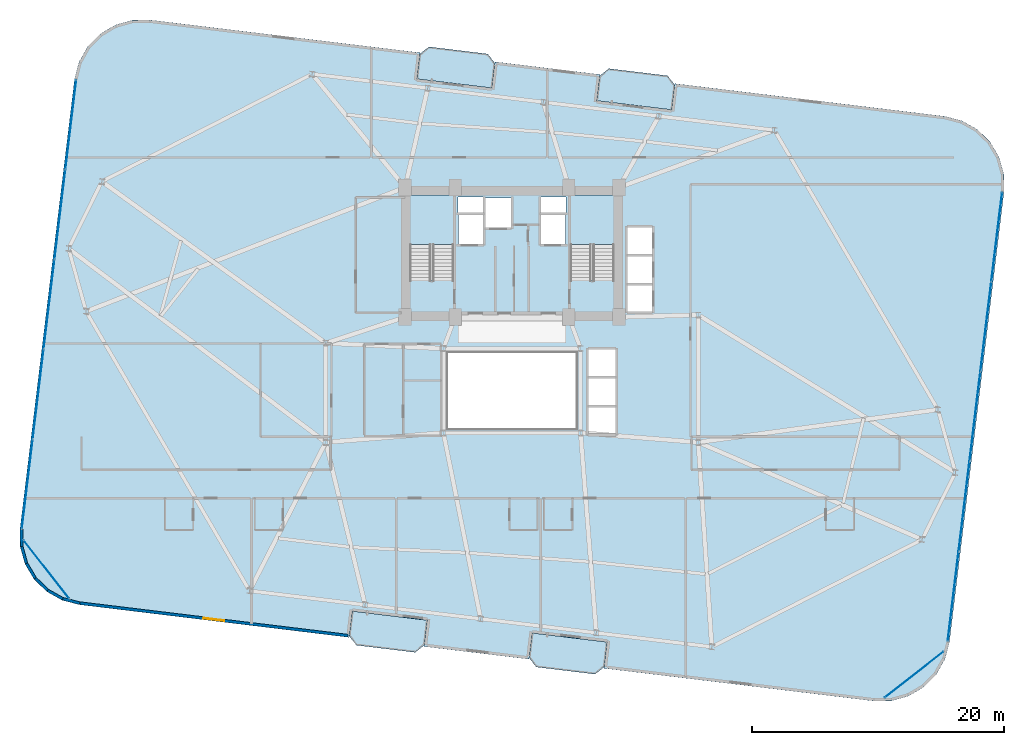
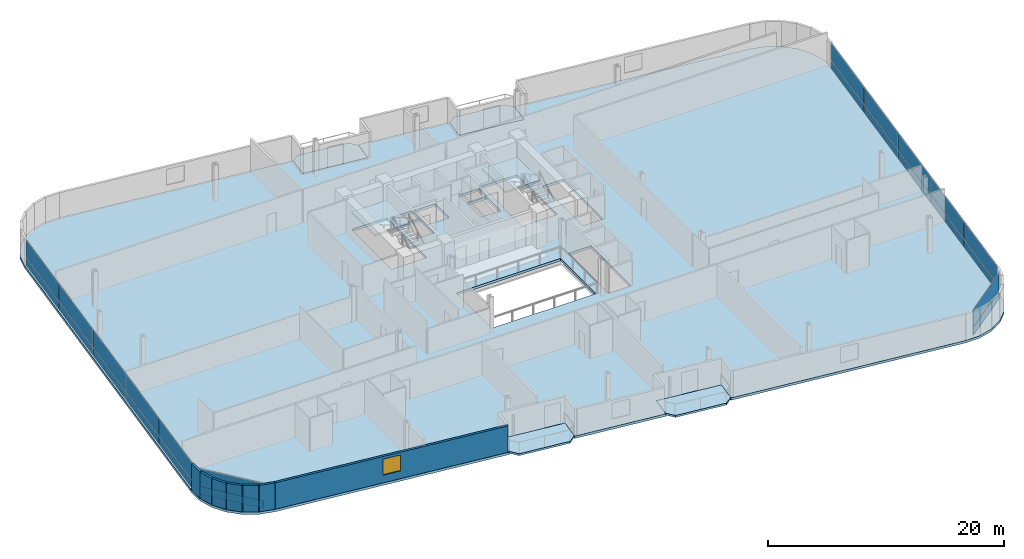
# One storey, part 19 of 25: 24 plates, 7 slabs, 7 walls, 1 window, 1 opening, 6 elements without a shape of their own.
"""IFC4 building model written with IfcOpenShell, lengths in metres."""

import ifcopenshell
import ifcopenshell.guid

model = None  # the IFC model being written
_history = None  # IfcOwnerHistory: only IFC2X3 demands one
_inside = {}  # id of a spatial element -> (the spatial element, [elements in it])
_under = {}  # id of a project, library or spatial element -> (it, [spatial elements below it])
_declared = {}  # id of a project -> (the project, [libraries it declares])
_typed = {}  # id of a type object -> (the type object, [elements of that type])
_made_of = {}  # id of a material, layer set ... -> (it, [elements and type objects made of it])


def new_model(schema):
    """Start an empty IFC model of exactly this schema.

    Asked for "IFC4X3", IfcOpenShell would pick the latest addendum, in which some entities
    have other attributes; the version numbers below select the first issue.
    IFC2X3 requires an IfcOwnerHistory on every rooted entity: one is made here for all.
    """
    global model, _history
    if schema == "IFC4X3":
        model = ifcopenshell.file(schema_version=(4, 3, 0, 0))
    else:
        model = ifcopenshell.file(schema=schema)
    _inside.clear()
    _under.clear()
    _declared.clear()
    _typed.clear()
    _made_of.clear()
    _history = None
    if model.schema == "IFC2X3":
        org = make("IfcOrganization", Name="unknown")
        user = make(
            "IfcPersonAndOrganization",
            ThePerson=make("IfcPerson", FamilyName="unknown"),
            TheOrganization=org,
        )
        app = make(
            "IfcApplication",
            ApplicationDeveloper=org,
            Version="unknown",
            ApplicationFullName="unknown",
            ApplicationIdentifier="unknown",
        )
        _history = make(
            "IfcOwnerHistory",
            OwningUser=user,
            OwningApplication=app,
            ChangeAction="ADDED",
            CreationDate=0,
        )
    return model


def make(cls, **values):
    """One entity of the class cls with the attributes given. An attribute that is None is left unset."""
    return model.create_entity(
        cls, **{name: value for name, value in values.items() if value is not None}
    )


def rooted(cls, **values):
    """An entity with a GlobalId (a new one), such as an element, a storey or a relation."""
    return make(cls, GlobalId=ifcopenshell.guid.new(), OwnerHistory=_history, **values)


def si_unit(unit_type, name, prefix=None):
    """IfcSIUnit, for example si_unit("LENGTHUNIT", "METRE", prefix="MILLI")."""
    return make("IfcSIUnit", UnitType=unit_type, Prefix=prefix, Name=name)


def assignment(units):
    """IfcUnitAssignment: the units of a project."""
    return None if units is None else make("IfcUnitAssignment", Units=units)


def point(xyz):
    """IfcCartesianPoint."""
    return None if xyz is None else make("IfcCartesianPoint", Coordinates=xyz)


def direction(xyz):
    """IfcDirection."""
    return None if xyz is None else make("IfcDirection", DirectionRatios=xyz)


def frame(location, z_axis=None, x_axis=None):
    """IfcAxis2Placement3D, a coordinate frame: its origin and axes. An axis left out is left unset."""
    return make(
        "IfcAxis2Placement3D",
        Location=point(location),
        Axis=direction(z_axis),
        RefDirection=direction(x_axis),
    )


def frame_2d(location, x_axis=None):
    """IfcAxis2Placement2D, a coordinate frame in the plane: its origin and x axis."""
    return make(
        "IfcAxis2Placement2D", Location=point(location), RefDirection=direction(x_axis)
    )


def origin():
    """The frame at (0, 0, 0) with its axes left unset."""
    return frame((0.0, 0.0, 0.0))


def origin_2d():
    """The frame at (0, 0) in the plane with its x axis left unset."""
    return frame_2d((0.0, 0.0))


def place(relative_to, where):
    """IfcLocalPlacement: puts the frame where relative to a parent placement (None: the world)."""
    return make(
        "IfcLocalPlacement", PlacementRelTo=relative_to, RelativePlacement=where
    )


def context(
    kind, dimensions, precision=None, world=None, true_north=None, identifier=None
):
    """IfcGeometricRepresentationContext, for example the 3D "Model" context."""
    return make(
        "IfcGeometricRepresentationContext",
        ContextIdentifier=identifier,
        ContextType=kind,
        CoordinateSpaceDimension=dimensions,
        Precision=precision,
        WorldCoordinateSystem=world,
        TrueNorth=true_north,
    )


def subcontext(parent, identifier, kind, view, scale=None):
    """IfcGeometricRepresentationSubContext, for example "Body" below "Model"."""
    return make(
        "IfcGeometricRepresentationSubContext",
        ContextIdentifier=identifier,
        ContextType=kind,
        ParentContext=parent,
        TargetScale=scale,
        TargetView=view,
    )


def project(units=None, contexts=None):
    """IfcProject with its units and contexts."""
    return rooted(
        "IfcProject",
        Name="project",
        RepresentationContexts=contexts,
        UnitsInContext=assignment(units),
    )


def spatial(cls, under=None, at=None, **own):
    """A site, building, storey or space (cls), placed at a placement, below another one or the project."""
    s = rooted(cls, ObjectPlacement=at, **own)
    if under is not None:
        _under.setdefault(under.id(), (under, []))[1].append(s)
    return s


def polyline(points):
    """IfcPolyline through the points."""
    return make("IfcPolyline", Points=[point(p) for p in points])


def profile(cls, at=None, kind="AREA", **sizes):
    """A parametric profile (cls). Its sizes go by their IFC names, for example OverallWidth=200.0."""
    return make(cls, ProfileType=kind, Position=at, **sizes)


def rectangle(**sizes):
    """IfcRectangleProfileDef."""
    return profile("IfcRectangleProfileDef", **sizes)


def outline(outer, holes=None, kind="AREA"):
    """IfcArbitraryClosedProfileDef: a profile drawn as a closed curve; with holes, ...WithVoids."""
    if holes is None:
        return make("IfcArbitraryClosedProfileDef", ProfileType=kind, OuterCurve=outer)
    return make(
        "IfcArbitraryProfileDefWithVoids",
        ProfileType=kind,
        OuterCurve=outer,
        InnerCurves=holes,
    )


def extrude(swept, where, along, depth):
    """IfcExtrudedAreaSolid: the profile swept, set in the frame where, extruded along a direction by depth."""
    return make(
        "IfcExtrudedAreaSolid",
        SweptArea=swept,
        Position=where,
        ExtrudedDirection=direction(along),
        Depth=depth,
    )


def shape(context_of_items, identifier, shape_type, items):
    """IfcShapeRepresentation: the items that make up one representation, for example the "Body"."""
    return make(
        "IfcShapeRepresentation",
        ContextOfItems=context_of_items,
        RepresentationIdentifier=identifier,
        RepresentationType=shape_type,
        Items=items,
    )


def source(mapping_origin, context_of_items, identifier, shape_type, items):
    """IfcRepresentationMap: a shape defined once, which mapped items show again and again."""
    return make(
        "IfcRepresentationMap",
        MappingOrigin=mapping_origin,
        MappedRepresentation=shape(context_of_items, identifier, shape_type, items),
    )


def transform(
    local_origin,
    x_axis=None,
    y_axis=None,
    z_axis=None,
    scale=None,
    scale2=None,
    scale3=None,
    uniform=True,
):
    """IfcCartesianTransformationOperator3D, or its non-uniform kind. x_axis, y_axis, z_axis: its Axis1, 2, 3."""
    if uniform:
        return make(
            "IfcCartesianTransformationOperator3D",
            Axis1=direction(x_axis),
            Axis2=direction(y_axis),
            LocalOrigin=point(local_origin),
            Scale=scale,
            Axis3=direction(z_axis),
        )
    return make(
        "IfcCartesianTransformationOperator3DnonUniform",
        Axis1=direction(x_axis),
        Axis2=direction(y_axis),
        LocalOrigin=point(local_origin),
        Scale=scale,
        Axis3=direction(z_axis),
        Scale2=scale2,
        Scale3=scale3,
    )


def mapped(mapping_source, mapping_target):
    """IfcMappedItem: shows the shape of a source again, moved by a transform."""
    return make(
        "IfcMappedItem", MappingSource=mapping_source, MappingTarget=mapping_target
    )


def material(Name=None, Category=None):
    """IfcMaterial."""
    return make("IfcMaterial", Name=Name, Category=Category)


def layer(
    of_material, thickness, ventilated=None, Name=None, Category=None, Priority=None
):
    """IfcMaterialLayer: one layer of a wall or slab, of a material (None: an air gap)."""
    return make(
        "IfcMaterialLayer",
        Material=of_material,
        LayerThickness=thickness,
        IsVentilated=ventilated,
        Name=Name,
        Category=Category,
        Priority=Priority,
    )


def layer_set(layers, Name=None):
    """IfcMaterialLayerSet."""
    return make("IfcMaterialLayerSet", MaterialLayers=layers, LayerSetName=Name)


def made_of(thing, what):
    """Note that an element or type object is made of a material, layer set ...; save() writes the relation."""
    if what is not None:
        _made_of.setdefault(what.id(), (what, []))[1].append(thing)
    return thing


def type_object(cls, material=None, **own):
    """A type object (cls), such as IfcWallType, which elements share."""
    return made_of(rooted(cls, **own), material)


def element(
    cls,
    number,
    at=None,
    inside=None,
    cuts=None,
    type_object=None,
    material=None,
    context=None,
    identifier="Body",
    shape_type=None,
    held_by="IfcProductDefinitionShape",
    body=None,
    shapes=None,
    **own,
):
    """One element of the class cls, such as IfcWall. Its Tag is "e" and its number.

    at: its placement. inside: the storey or other place that contains it. cuts: it is an
    opening in that element (IfcRelVoidsElement). A single representation is given by context,
    identifier, shape_type and body (its items); several are given by shapes. held_by: the class
    of the entity that holds the representations. save() writes the other relations.
    """
    e = rooted(cls, Tag="e%d" % number, ObjectPlacement=at, **own)
    if body is not None:
        shapes = [shape(context, identifier, shape_type, body)]
    if shapes is not None:
        e.Representation = make(held_by, Representations=shapes)
    if inside is not None:
        _inside.setdefault(inside.id(), (inside, []))[1].append(e)
    if cuts is not None:
        rooted(
            "IfcRelVoidsElement", RelatingBuildingElement=cuts, RelatedOpeningElement=e
        )
    if type_object is not None:
        _typed.setdefault(type_object.id(), (type_object, []))[1].append(e)
    return made_of(e, material)


def fill(opening, filler):
    """IfcRelFillsElement: the door or window that sits in an opening."""
    return rooted(
        "IfcRelFillsElement",
        RelatingOpeningElement=opening,
        RelatedBuildingElement=filler,
    )


def aggregate(whole, parts):
    """IfcRelAggregates: a whole, such as a stair, and the parts it consists of."""
    return rooted("IfcRelAggregates", RelatingObject=whole, RelatedObjects=parts)


def save(model, path):
    """Write the relations noted so far, then the file.

    IfcRelAggregates (storeys below a building ...), IfcRelContainedInSpatialStructure (elements
    in a storey), IfcRelDefinesByType, IfcRelAssociatesMaterial and IfcRelDeclares: one each for
    every whole, place, type object, material and project.
    """
    for whole, parts in _under.values():
        aggregate(whole, parts)
    for where, things in _inside.values():
        rooted(
            "IfcRelContainedInSpatialStructure",
            RelatedElements=things,
            RelatingStructure=where,
        )
    for kind, things in _typed.values():
        rooted("IfcRelDefinesByType", RelatedObjects=things, RelatingType=kind)
    for what, things in _made_of.values():
        rooted("IfcRelAssociatesMaterial", RelatedObjects=things, RelatingMaterial=what)
    for by, libraries in _declared.values():
        rooted("IfcRelDeclares", RelatingContext=by, RelatedDefinitions=libraries)
    model.write(path)


model = new_model("IFC4")

# Units and contexts
model_context = context("Model", 3, precision=1e-05, world=origin(), true_north=direction((0.0, 1.0)))
body_context = subcontext(model_context, "Body", "Model", "MODEL_VIEW")
ifc_project = project(units=[si_unit("LENGTHUNIT", "METRE"), si_unit("AREAUNIT", "SQUARE_METRE"), si_unit("VOLUMEUNIT", "CUBIC_METRE"), si_unit("PLANEANGLEUNIT", "RADIAN"), si_unit("MASSUNIT", "GRAM", prefix="KILO")], contexts=[model_context])

# Site, building, storey
site_placement = place(None, origin())
site = spatial("IfcSite", under=ifc_project, at=site_placement, CompositionType="ELEMENT")
building_placement = place(site_placement, origin())
building = spatial("IfcBuilding", under=site, at=building_placement, Name="Varnelok Gate Tower", CompositionType="ELEMENT")
storey_placement = place(building_placement, frame((0.0, 0.0, 136.5)))
storey = spatial("IfcBuildingStorey", under=building, at=storey_placement, Name="L34", CompositionType="ELEMENT", Elevation=136.5)

# Slabs
ifc_material_1 = material(Name="Concrete C45/55", Category="concrete")
ifc_layer_1 = layer(ifc_material_1, 0.199951171875)
ifc_layer_set_1 = layer_set([ifc_layer_1], Name="Concrete C45/55")
slab_type_1 = type_object("IfcSlabType", Name="SLB-BALC-200", PredefinedType="FLOOR", material=ifc_layer_set_1)
slab_1_placement = place(storey_placement, frame((0.0, 0.0, -0.199951171875)))
element("IfcSlab", 1, at=slab_1_placement, inside=storey, type_object=slab_type_1, Name="L34 South Hollow Balcony 1", PredefinedType="FLOOR", context=body_context, shape_type="SweptSolid", body=[
    extrude(outline(polyline([(26.27001953125, 3.39697265625), (26.837158203125, 2.67333984375), (31.5029296875, 2.107666015625), (32.2265625, 2.6748046875), (32.46728515625, 4.660400390625), (26.5107421875, 5.38232421875), (26.27001953125, 3.39697265625)])), origin(), (0.0, 0.0, 1.0), 0.199951171875),
])
slab_2_placement = place(storey_placement, frame((0.0, 0.0, -0.199951171875)))
element("IfcSlab", 2, at=slab_2_placement, inside=storey, type_object=slab_type_1, Name="L34 South Hollow Balcony 2", PredefinedType="FLOOR", context=body_context, shape_type="SweptSolid", body=[
    extrude(outline(polyline([(40.5654296875, 1.663818359375), (41.132568359375, 0.9404296875), (45.79833984375, 0.374755859375), (46.521728515625, 0.94189453125), (46.762451171875, 2.92724609375), (40.80615234375, 3.6494140625), (40.5654296875, 1.663818359375)])), origin(), (0.0, 0.0, 1.0), 0.199951171875),
])
slab_3_placement = place(storey_placement, frame((0.0, 0.0, -0.199951171875)))
element("IfcSlab", 3, at=slab_3_placement, inside=storey, type_object=slab_type_1, Name="L34 North Hollow Balcony 1", PredefinedType="FLOOR", context=body_context, shape_type="SweptSolid", body=[
    extrude(outline(polyline([(31.637451171875, 47.672607421875), (37.593994140625, 46.95068359375), (37.834716796875, 48.93603515625), (37.267578125, 49.65966796875), (32.601806640625, 50.22509765625), (31.878173828125, 49.658203125), (31.637451171875, 47.672607421875)])), origin(), (0.0, 0.0, 1.0), 0.199951171875),
])
slab_4_placement = place(storey_placement, frame((0.0, 0.0, -0.199951171875)))
element("IfcSlab", 4, at=slab_4_placement, inside=storey, type_object=slab_type_1, Name="L34 North Hollow Balcony 2", PredefinedType="FLOOR", context=body_context, shape_type="SweptSolid", body=[
    extrude(outline(polyline([(45.932861328125, 45.939697265625), (51.88916015625, 45.2177734375), (52.1298828125, 47.203125), (51.562744140625, 47.926513671875), (46.89697265625, 48.4921875), (46.173583984375, 47.92529296875), (45.932861328125, 45.939697265625)])), origin(), (0.0, 0.0, 1.0), 0.199951171875),
])

# Stair, slab
ifc_material_2 = material(Name="Concrete C50/60", Category="concrete")
stair_type = type_object("IfcStairType", Name="STR-CORE-1650", PredefinedType="HALF_TURN_STAIR", material=ifc_material_2)
stair_1_placement = place(storey_placement, origin())
stair_1 = element("IfcStair", 5, at=stair_1_placement, inside=storey, type_object=stair_type, Name="L34 Exit Stair ST-1", PredefinedType="HALF_TURN_STAIR")
ifc_layer_2 = layer(ifc_material_1, 0.199951171875)
ifc_layer_set_2 = layer_set([ifc_layer_2], Name="Concrete C45/55")
slab_type_2 = type_object("IfcSlabType", Name="SLB-LAND-200", PredefinedType="LANDING", material=ifc_layer_set_2)
slab_5_placement = place(storey_placement, frame((0.0, 0.0, 1.64990234375)))
slab_5 = element("IfcSlab", 6, at=slab_5_placement, type_object=slab_type_2, Name="ST-1 landing 1", PredefinedType="LANDING", context=body_context, shape_type="SweptSolid", body=[
    extrude(outline(polyline([(34.550048828125, 34.5), (34.550048828125, 38.449951171875), (31.10009765625, 38.449951171875), (31.10009765625, 34.5), (34.550048828125, 34.5)])), origin(), (0.0, 0.0, 1.0), 0.2001953125),
])
aggregate(stair_1, [slab_5])

stair_2_placement = place(storey_placement, origin())
stair_2 = element("IfcStair", 7, at=stair_2_placement, inside=storey, type_object=stair_type, Name="L34 Exit Stair ST-2", PredefinedType="HALF_TURN_STAIR")
slab_6_placement = place(storey_placement, frame((0.0, 0.0, 1.64990234375)))
slab_6 = element("IfcSlab", 8, at=slab_6_placement, type_object=slab_type_2, Name="ST-2 landing 1", PredefinedType="LANDING", context=body_context, shape_type="SweptSolid", body=[
    extrude(outline(polyline([(47.300048828125, 34.5), (47.300048828125, 38.449951171875), (43.85009765625, 38.449951171875), (43.85009765625, 34.5), (47.300048828125, 34.5)])), origin(), (0.0, 0.0, 1.0), 0.2001953125),
])
aggregate(stair_2, [slab_6])

# Slab
ifc_layer_3 = layer(ifc_material_2, 0.25)
ifc_layer_set_3 = layer_set([ifc_layer_3], Name="Concrete C50/60")
slab_type_3 = type_object("IfcSlabType", Name="SLB-TYP-250", PredefinedType="FLOOR", material=ifc_layer_set_3)
slab_7_placement = place(storey_placement, frame((0.0, 0.0, -0.25)))
element("IfcSlab", 9, at=slab_7_placement, inside=storey, type_object=slab_type_3, Name="L34 Structural Floor Slab", PredefinedType="FLOOR", context=body_context, shape_type="SweptSolid", body=[
    extrude(outline(polyline([(0.104248046875, 11.90771484375), (0.11865234375, 10.498046875), (0.49755859375, 9.14013671875), (1.214599609375, 7.9267578125), (2.2216796875, 6.940185546875), (3.44970703125, 6.247802734375), (4.81494140625, 5.89697265625), (16.529296875, 4.47705078125), (26.258056640625, 3.297607421875), (26.5107421875, 5.38232421875), (32.46728515625, 4.660400390625), (32.214599609375, 2.575439453125), (40.553466796875, 1.564697265625), (40.80615234375, 3.6494140625), (46.762451171875, 2.92724609375), (46.509765625, 0.842529296875), (56.238525390625, -0.3369140625), (67.952880859375, -1.7568359375), (69.3623046875, -1.742431640625), (70.72021484375, -1.363525390625), (71.933837890625, -0.646240234375), (72.92041015625, 0.360595703125), (73.612548828125, 1.588623046875), (73.96337890625, 2.9541015625), (78.2958984375, 38.6923828125), (78.281494140625, 40.101806640625), (77.902587890625, 41.459716796875), (77.185302734375, 42.67333984375), (76.17822265625, 43.659912109375), (74.9501953125, 44.35205078125), (73.5849609375, 44.702880859375), (61.87060546875, 46.123046875), (52.141845703125, 47.302490234375), (51.88916015625, 45.2177734375), (45.932861328125, 45.939697265625), (46.185546875, 48.0244140625), (37.8466796875, 49.035400390625), (37.593994140625, 46.95068359375), (31.637451171875, 47.672607421875), (31.89013671875, 49.75732421875), (22.161376953125, 50.936767578125), (10.447265625, 52.35693359375), (9.03759765625, 52.34228515625), (7.6796875, 51.963623046875), (6.46630859375, 51.246337890625), (5.479736328125, 50.2392578125), (4.787353515625, 49.01123046875), (4.4365234375, 47.64599609375), (0.104248046875, 11.90771484375)]), holes=[polyline([(34.550048828125, 31.679931640625), (34.550048828125, 38.449951171875), (31.10009765625, 38.449951171875), (31.10009765625, 31.679931640625), (34.550048828125, 31.679931640625)]), polyline([(47.300048828125, 31.679931640625), (47.300048828125, 38.449951171875), (43.85009765625, 38.449951171875), (43.85009765625, 31.679931640625), (47.300048828125, 31.679931640625)]), polyline([(34.949951171875, 34.550048828125), (36.89990234375, 34.550048828125), (36.89990234375, 36.89990234375), (34.949951171875, 36.89990234375), (34.949951171875, 34.550048828125)]), polyline([(41.5, 34.550048828125), (43.449951171875, 34.550048828125), (43.449951171875, 36.89990234375), (41.5, 36.89990234375), (41.5, 34.550048828125)]), polyline([(37.050048828125, 35.85009765625), (39.14990234375, 35.85009765625), (39.14990234375, 38.199951171875), (37.050048828125, 38.199951171875), (37.050048828125, 35.85009765625)]), polyline([(48.35009765625, 29.14990234375), (50.35009765625, 29.14990234375), (50.35009765625, 35.89990234375), (48.35009765625, 35.89990234375), (48.35009765625, 29.14990234375)]), polyline([(45.25, 19.449951171875), (47.449951171875, 19.449951171875), (47.449951171875, 26.199951171875), (45.25, 26.199951171875), (45.25, 19.449951171875)]), polyline([(34.919921875, 37.080078125), (36.89990234375, 37.080078125), (36.89990234375, 38.280029296875), (34.919921875, 38.280029296875), (34.919921875, 37.080078125)]), polyline([(41.5, 37.080078125), (43.47998046875, 37.080078125), (43.47998046875, 38.280029296875), (41.5, 38.280029296875), (41.5, 37.080078125)]), polyline([(34.10009765625, 19.89990234375), (44.300048828125, 19.89990234375), (44.300048828125, 25.89990234375), (34.10009765625, 25.89990234375), (34.10009765625, 19.89990234375)])]), origin(), (0.0, 0.0, 1.0), 0.25),
])

# Curtain wall, plate
ifc_material_3 = material(Name="Anodized Aluminum Alloy 6063-T6", Category="aluminium")
ifc_layer_4 = layer(ifc_material_3, 0.179931640625)
ifc_layer_set_4 = layer_set([ifc_layer_4], Name="Anodized Aluminum Alloy 6063-T6")
curtain_wall_type_1 = type_object("IfcCurtainWallType", Name="CW5-WINDCORNER-GLAZ", PredefinedType="USERDEFINED", material=ifc_layer_set_4)
curtain_wall_1_placement = place(storey_placement, origin())
curtain_wall_1 = element("IfcCurtainWall", 10, at=curtain_wall_1_placement, inside=storey, type_object=curtain_wall_type_1, Name="L34 Wind-Shaped Corner Curtain Wall SW", ObjectType="STRUCTURAL GLAZING", PredefinedType="USERDEFINED")
ifc_material_4 = material(Name="Low-E Laminated Double Glazing IGU", Category="glass")
ifc_layer_5 = layer(ifc_material_4, 0.0419921875)
ifc_layer_set_5 = layer_set([ifc_layer_5], Name="Low-E Laminated Double Glazing IGU")
plate_type_1 = type_object("IfcPlateType", Name="CW-PNL-SPN42", PredefinedType="CURTAIN_PANEL", material=ifc_layer_set_5)
shared_shape_1 = source(origin(), body_context, "Body", "SweptSolid", [
    extrude(rectangle(XDim=5.8662109375, YDim=0.0419921875, at=origin_2d()), origin(), (0.0, 0.0, 1.0), 0.802490234375),
])
plate_1_placement = place(storey_placement, frame((2.20361328125, 8.70166015625, 0.06494140625), z_axis=(0.0, 0.0, 1.0), x_axis=(0.616882780063, -0.787055039792, 0.0)))
plate_1 = element("IfcPlate", 11, at=plate_1_placement, type_object=plate_type_1, Name="CW5 panel 1.1", PredefinedType="CURTAIN_PANEL", context=body_context, shape_type="MappedRepresentation", body=[
    mapped(shared_shape_1, transform((0.0, 0.0, 0.0), scale=1.0)),
])

curtain_wall_2_placement = place(storey_placement, origin())
curtain_wall_2 = element("IfcCurtainWall", 12, at=curtain_wall_2_placement, inside=storey, type_object=curtain_wall_type_1, Name="L34 Wind-Shaped Corner Curtain Wall SE", ObjectType="STRUCTURAL GLAZING", PredefinedType="USERDEFINED")
plate_2_placement = place(storey_placement, frame((71.15869140625, 0.342529296875, 0.06494140625), z_axis=(0.0, 0.0, 1.0), x_axis=(0.787069482921, 0.616864352232, 0.0)))
plate_2 = element("IfcPlate", 13, at=plate_2_placement, type_object=plate_type_1, Name="CW5 panel 1.1", PredefinedType="CURTAIN_PANEL", context=body_context, shape_type="MappedRepresentation", body=[
    mapped(shared_shape_1, transform((0.0, 0.0, 0.0), scale=1.0)),
])

# Plate
shared_shape_2 = source(origin(), body_context, "Body", "SweptSolid", [
    extrude(rectangle(XDim=5.8662109375, YDim=0.0419921875, at=origin_2d()), origin(), (0.0, 0.0, 1.0), 1.732421875),
])
plate_3_placement = place(storey_placement, frame((2.20361328125, 8.70166015625, 0.9326171875), z_axis=(0.0, 0.0, 1.0), x_axis=(0.616882780063, -0.787055039792, 0.0)))
plate_3 = element("IfcPlate", 14, at=plate_3_placement, type_object=plate_type_1, Name="CW5 panel 1.2", PredefinedType="CURTAIN_PANEL", context=body_context, shape_type="MappedRepresentation", body=[
    mapped(shared_shape_2, transform((0.0, 0.0, 0.0), scale=1.0)),
])

aggregate(curtain_wall_1, [plate_1, plate_3])

plate_4_placement = place(storey_placement, frame((71.15869140625, 0.342529296875, 0.9326171875), z_axis=(0.0, 0.0, 1.0), x_axis=(0.787069482921, 0.616864352232, 0.0)))
plate_4 = element("IfcPlate", 15, at=plate_4_placement, type_object=plate_type_1, Name="CW5 panel 1.2", PredefinedType="CURTAIN_PANEL", context=body_context, shape_type="MappedRepresentation", body=[
    mapped(shared_shape_2, transform((0.0, 0.0, 0.0), scale=1.0)),
])

aggregate(curtain_wall_2, [plate_2, plate_4])

# Curtain wall, plates
ifc_layer_6 = layer(ifc_material_3, 0.179931640625)
ifc_layer_set_6 = layer_set([ifc_layer_6], Name="Anodized Aluminum Alloy 6063-T6")
curtain_wall_type_2 = type_object("IfcCurtainWallType", Name="CW3-HOTEL-VISION", PredefinedType="USERDEFINED", material=ifc_layer_set_6)
curtain_wall_3_placement = place(storey_placement, origin())
curtain_wall_3 = element("IfcCurtainWall", 16, at=curtain_wall_3_placement, inside=storey, type_object=curtain_wall_type_2, Name="L34 West End Vision Curtain Wall", ObjectType="UNITISED CURTAIN WALL", PredefinedType="USERDEFINED")
ifc_layer_7 = layer(ifc_material_4, 0.031982421875)
ifc_layer_set_7 = layer_set([ifc_layer_7], Name="Low-E Laminated Double Glazing IGU")
plate_type_2 = type_object("IfcPlateType", Name="CW-PNL-IGU32", PredefinedType="CURTAIN_PANEL", material=ifc_layer_set_7)
shared_shape_3 = source(origin(), body_context, "Body", "SweptSolid", [
    extrude(rectangle(XDim=7.1025390625, YDim=0.031982421875, at=origin_2d()), origin(), (0.0, 0.0, 1.0), 0.802490234375),
])
plate_5_placement = place(storey_placement, frame((0.67822265625, 15.480712890625, 0.06494140625), z_axis=(0.0, 0.0, 1.0), x_axis=(0.120347046212, 0.99273188146, 0.0)))
plate_5 = element("IfcPlate", 17, at=plate_5_placement, type_object=plate_type_2, Name="CW3 panel 1.1", PredefinedType="CURTAIN_PANEL", context=body_context, shape_type="MappedRepresentation", body=[
    mapped(shared_shape_3, transform((0.0, 0.0, 0.0), scale=1.0)),
])
plate_6_placement = place(storey_placement, frame((4.140380859375, 44.039306640625, 0.06494140625), z_axis=(0.0, 0.0, 1.0), x_axis=(0.120347046212, 0.99273188146, 0.0)))
plate_6 = element("IfcPlate", 18, at=plate_6_placement, type_object=plate_type_2, Name="CW3 panel 5.1", PredefinedType="CURTAIN_PANEL", context=body_context, shape_type="MappedRepresentation", body=[
    mapped(shared_shape_3, transform((0.0, 0.0, 0.0), scale=1.0)),
])

curtain_wall_4_placement = place(storey_placement, origin())
curtain_wall_4 = element("IfcCurtainWall", 19, at=curtain_wall_4_placement, inside=storey, type_object=curtain_wall_type_2, Name="L34 East End Vision Curtain Wall", ObjectType="UNITISED CURTAIN WALL", PredefinedType="USERDEFINED")
plate_7_placement = place(storey_placement, frame((77.7216796875, 35.119140625, 0.06494140625), z_axis=(0.0, 0.0, 1.0), x_axis=(-0.120347046212, -0.99273188146, 0.0)))
plate_7 = element("IfcPlate", 20, at=plate_7_placement, type_object=plate_type_2, Name="CW3 panel 1.1", PredefinedType="CURTAIN_PANEL", context=body_context, shape_type="MappedRepresentation", body=[
    mapped(shared_shape_3, transform((0.0, 0.0, 0.0), scale=1.0)),
])
plate_8_placement = place(storey_placement, frame((74.259521484375, 6.560791015625, 0.06494140625), z_axis=(0.0, 0.0, 1.0), x_axis=(-0.120347046212, -0.99273188146, 0.0)))
plate_8 = element("IfcPlate", 21, at=plate_8_placement, type_object=plate_type_2, Name="CW3 panel 5.1", PredefinedType="CURTAIN_PANEL", context=body_context, shape_type="MappedRepresentation", body=[
    mapped(shared_shape_3, transform((0.0, 0.0, 0.0), scale=1.0)),
])

# Plate
shared_shape_4 = source(origin(), body_context, "Body", "SweptSolid", [
    extrude(rectangle(XDim=7.1025390625, YDim=0.031982421875, at=origin_2d()), origin(), (0.0, 0.0, 1.0), 1.732421875),
])
plate_9_placement = place(storey_placement, frame((0.67822265625, 15.480712890625, 0.9326171875), z_axis=(0.0, 0.0, 1.0), x_axis=(0.120347046212, 0.99273188146, 0.0)))
plate_9 = element("IfcPlate", 22, at=plate_9_placement, type_object=plate_type_2, Name="CW3 panel 1.2", PredefinedType="CURTAIN_PANEL", context=body_context, shape_type="MappedRepresentation", body=[
    mapped(shared_shape_4, transform((0.0, 0.0, 0.0), scale=1.0)),
])

plate_10_placement = place(storey_placement, frame((4.140380859375, 44.039306640625, 0.9326171875), z_axis=(0.0, 0.0, 1.0), x_axis=(0.120347046212, 0.99273188146, 0.0)))
plate_10 = element("IfcPlate", 23, at=plate_10_placement, type_object=plate_type_2, Name="CW3 panel 5.2", PredefinedType="CURTAIN_PANEL", context=body_context, shape_type="MappedRepresentation", body=[
    mapped(shared_shape_4, transform((0.0, 0.0, 0.0), scale=1.0)),
])

plate_11_placement = place(storey_placement, frame((77.7216796875, 35.119140625, 0.9326171875), z_axis=(0.0, 0.0, 1.0), x_axis=(-0.120347046212, -0.99273188146, 0.0)))
plate_11 = element("IfcPlate", 24, at=plate_11_placement, type_object=plate_type_2, Name="CW3 panel 1.2", PredefinedType="CURTAIN_PANEL", context=body_context, shape_type="MappedRepresentation", body=[
    mapped(shared_shape_4, transform((0.0, 0.0, 0.0), scale=1.0)),
])

plate_12_placement = place(storey_placement, frame((74.259521484375, 6.560791015625, 0.9326171875), z_axis=(0.0, 0.0, 1.0), x_axis=(-0.120347046212, -0.99273188146, 0.0)))
plate_12 = element("IfcPlate", 25, at=plate_12_placement, type_object=plate_type_2, Name="CW3 panel 5.2", PredefinedType="CURTAIN_PANEL", context=body_context, shape_type="MappedRepresentation", body=[
    mapped(shared_shape_4, transform((0.0, 0.0, 0.0), scale=1.0)),
])

shared_shape_5 = source(origin(), body_context, "Body", "SweptSolid", [
    extrude(rectangle(XDim=7.135009765625, YDim=0.031982421875, at=origin_2d()), origin(), (0.0, 0.0, 1.0), 0.802490234375),
])
plate_13_placement = place(storey_placement, frame((1.54296875, 22.6123046875, 0.06494140625), z_axis=(0.0, 0.0, 1.0), x_axis=(0.120347046212, 0.99273188146, 0.0)))
plate_13 = element("IfcPlate", 26, at=plate_13_placement, type_object=plate_type_2, Name="CW3 panel 2.1", PredefinedType="CURTAIN_PANEL", context=body_context, shape_type="MappedRepresentation", body=[
    mapped(shared_shape_5, transform((0.0, 0.0, 0.0), scale=1.0)),
])

plate_14_placement = place(storey_placement, frame((2.409423828125, 29.760009765625, 0.06494140625), z_axis=(0.0, 0.0, 1.0), x_axis=(0.120347046212, 0.99273188146, 0.0)))
plate_14 = element("IfcPlate", 27, at=plate_14_placement, type_object=plate_type_2, Name="CW3 panel 3.1", PredefinedType="CURTAIN_PANEL", context=body_context, shape_type="MappedRepresentation", body=[
    mapped(shared_shape_5, transform((0.0, 0.0, 0.0), scale=1.0)),
])

plate_15_placement = place(storey_placement, frame((3.27587890625, 36.90771484375, 0.06494140625), z_axis=(0.0, 0.0, 1.0), x_axis=(0.120347046212, 0.99273188146, 0.0)))
plate_15 = element("IfcPlate", 28, at=plate_15_placement, type_object=plate_type_2, Name="CW3 panel 4.1", PredefinedType="CURTAIN_PANEL", context=body_context, shape_type="MappedRepresentation", body=[
    mapped(shared_shape_5, transform((0.0, 0.0, 0.0), scale=1.0)),
])

plate_16_placement = place(storey_placement, frame((76.857177734375, 27.98779296875, 0.06494140625), z_axis=(0.0, 0.0, 1.0), x_axis=(-0.120347046212, -0.99273188146, 0.0)))
plate_16 = element("IfcPlate", 29, at=plate_16_placement, type_object=plate_type_2, Name="CW3 panel 2.1", PredefinedType="CURTAIN_PANEL", context=body_context, shape_type="MappedRepresentation", body=[
    mapped(shared_shape_5, transform((0.0, 0.0, 0.0), scale=1.0)),
])

plate_17_placement = place(storey_placement, frame((75.99072265625, 20.840087890625, 0.06494140625), z_axis=(0.0, 0.0, 1.0), x_axis=(-0.120347046212, -0.99273188146, 0.0)))
plate_17 = element("IfcPlate", 30, at=plate_17_placement, type_object=plate_type_2, Name="CW3 panel 3.1", PredefinedType="CURTAIN_PANEL", context=body_context, shape_type="MappedRepresentation", body=[
    mapped(shared_shape_5, transform((0.0, 0.0, 0.0), scale=1.0)),
])

plate_18_placement = place(storey_placement, frame((75.124267578125, 13.6923828125, 0.06494140625), z_axis=(0.0, 0.0, 1.0), x_axis=(-0.120347046212, -0.99273188146, 0.0)))
plate_18 = element("IfcPlate", 31, at=plate_18_placement, type_object=plate_type_2, Name="CW3 panel 4.1", PredefinedType="CURTAIN_PANEL", context=body_context, shape_type="MappedRepresentation", body=[
    mapped(shared_shape_5, transform((0.0, 0.0, 0.0), scale=1.0)),
])

shared_shape_6 = source(origin(), body_context, "Body", "SweptSolid", [
    extrude(rectangle(XDim=7.135009765625, YDim=0.031982421875, at=origin_2d()), origin(), (0.0, 0.0, 1.0), 1.732421875),
])
plate_19_placement = place(storey_placement, frame((1.54296875, 22.6123046875, 0.9326171875), z_axis=(0.0, 0.0, 1.0), x_axis=(0.120347046212, 0.99273188146, 0.0)))
plate_19 = element("IfcPlate", 32, at=plate_19_placement, type_object=plate_type_2, Name="CW3 panel 2.2", PredefinedType="CURTAIN_PANEL", context=body_context, shape_type="MappedRepresentation", body=[
    mapped(shared_shape_6, transform((0.0, 0.0, 0.0), scale=1.0)),
])

plate_20_placement = place(storey_placement, frame((2.409423828125, 29.760009765625, 0.9326171875), z_axis=(0.0, 0.0, 1.0), x_axis=(0.120347046212, 0.99273188146, 0.0)))
plate_20 = element("IfcPlate", 33, at=plate_20_placement, type_object=plate_type_2, Name="CW3 panel 3.2", PredefinedType="CURTAIN_PANEL", context=body_context, shape_type="MappedRepresentation", body=[
    mapped(shared_shape_6, transform((0.0, 0.0, 0.0), scale=1.0)),
])

plate_21_placement = place(storey_placement, frame((3.27587890625, 36.90771484375, 0.9326171875), z_axis=(0.0, 0.0, 1.0), x_axis=(0.120347046212, 0.99273188146, 0.0)))
plate_21 = element("IfcPlate", 34, at=plate_21_placement, type_object=plate_type_2, Name="CW3 panel 4.2", PredefinedType="CURTAIN_PANEL", context=body_context, shape_type="MappedRepresentation", body=[
    mapped(shared_shape_6, transform((0.0, 0.0, 0.0), scale=1.0)),
])

aggregate(curtain_wall_3, [plate_5, plate_9, plate_13, plate_19, plate_14, plate_20, plate_15, plate_21, plate_6, plate_10])

plate_22_placement = place(storey_placement, frame((76.857177734375, 27.98779296875, 0.9326171875), z_axis=(0.0, 0.0, 1.0), x_axis=(-0.120347046212, -0.99273188146, 0.0)))
plate_22 = element("IfcPlate", 35, at=plate_22_placement, type_object=plate_type_2, Name="CW3 panel 2.2", PredefinedType="CURTAIN_PANEL", context=body_context, shape_type="MappedRepresentation", body=[
    mapped(shared_shape_6, transform((0.0, 0.0, 0.0), scale=1.0)),
])

plate_23_placement = place(storey_placement, frame((75.99072265625, 20.840087890625, 0.9326171875), z_axis=(0.0, 0.0, 1.0), x_axis=(-0.120347046212, -0.99273188146, 0.0)))
plate_23 = element("IfcPlate", 36, at=plate_23_placement, type_object=plate_type_2, Name="CW3 panel 3.2", PredefinedType="CURTAIN_PANEL", context=body_context, shape_type="MappedRepresentation", body=[
    mapped(shared_shape_6, transform((0.0, 0.0, 0.0), scale=1.0)),
])

plate_24_placement = place(storey_placement, frame((75.124267578125, 13.6923828125, 0.9326171875), z_axis=(0.0, 0.0, 1.0), x_axis=(-0.120347046212, -0.99273188146, 0.0)))
plate_24 = element("IfcPlate", 37, at=plate_24_placement, type_object=plate_type_2, Name="CW3 panel 4.2", PredefinedType="CURTAIN_PANEL", context=body_context, shape_type="MappedRepresentation", body=[
    mapped(shared_shape_6, transform((0.0, 0.0, 0.0), scale=1.0)),
])

aggregate(curtain_wall_4, [plate_7, plate_11, plate_16, plate_22, plate_17, plate_23, plate_18, plate_24, plate_8, plate_12])

# Walls
ifc_layer_8 = layer(ifc_material_1, 0.219970703125)
ifc_layer_set_8 = layer_set([ifc_layer_8], Name="Concrete C45/55")
wall_type = type_object("IfcWallType", Name="EW-BALC-220", PredefinedType="SOLIDWALL", material=ifc_layer_set_8)
wall_1_placement = place(storey_placement, frame((0.224365234375, 11.89306640625, 0.0), z_axis=(0.0, 0.0, 1.0), x_axis=(0.010098705419, -0.999949006774, 0.0)))
element("IfcWall", 38, at=wall_1_placement, inside=storey, type_object=wall_type, Name="L34 Perimeter Facade Closure Wall 1", PredefinedType="SOLIDWALL", context=body_context, shape_type="SweptSolid", body=[
    extrude(rectangle(XDim=1.3779296875, YDim=0.219970703125, at=frame_2d((0.68896484375, 0.0))), origin(), (0.0, 0.0, 1.0), 2.72998046875),
])
wall_2_placement = place(storey_placement, frame((0.2451171875, 10.490966796875, 0.0), z_axis=(0.0, 0.0, 1.0), x_axis=(0.268853470153, -0.963181089716, 0.0)))
element("IfcWall", 39, at=wall_2_placement, inside=storey, type_object=wall_type, Name="L34 Perimeter Facade Closure Wall 2", PredefinedType="SOLIDWALL", context=body_context, shape_type="SweptSolid", body=[
    extrude(rectangle(XDim=1.35302734375, YDim=0.219970703125, at=frame_2d((0.676513671875, 0.0))), origin(), (0.0, 0.0, 1.0), 2.72998046875),
])
wall_3_placement = place(storey_placement, frame((0.62158203125, 9.166015625, 0.0), z_axis=(0.0, 0.0, 1.0), x_axis=(0.508911700393, -0.860818727261, 0.0)))
element("IfcWall", 40, at=wall_3_placement, inside=storey, type_object=wall_type, Name="L34 Perimeter Facade Closure Wall 3", PredefinedType="SOLIDWALL", context=body_context, shape_type="SweptSolid", body=[
    extrude(rectangle(XDim=1.352783203125, YDim=0.219970703125, at=frame_2d((0.67626953125, 0.0))), origin(), (0.0, 0.0, 1.0), 2.72998046875),
])
wall_4_placement = place(storey_placement, frame((1.327880859375, 7.98388671875, 0.0), z_axis=(0.0, 0.0, 1.0), x_axis=(0.714376989847, -0.69976104234, 0.0)))
element("IfcWall", 41, at=wall_4_placement, inside=storey, type_object=wall_type, Name="L34 Perimeter Facade Closure Wall 4", PredefinedType="SOLIDWALL", context=body_context, shape_type="SweptSolid", body=[
    extrude(rectangle(XDim=1.35302734375, YDim=0.219970703125, at=frame_2d((0.676513671875, 0.0))), origin(), (0.0, 0.0, 1.0), 2.72998046875),
])
wall_5_placement = place(storey_placement, frame((2.316162109375, 7.024658203125, 0.0), z_axis=(0.0, 0.0, 1.0), x_axis=(0.87113677592, -0.491040443996, 0.0)))
element("IfcWall", 42, at=wall_5_placement, inside=storey, type_object=wall_type, Name="L34 Perimeter Facade Closure Wall 5", PredefinedType="SOLIDWALL", context=body_context, shape_type="SweptSolid", body=[
    extrude(rectangle(XDim=1.353271484375, YDim=0.219970703125, at=frame_2d((0.6767578125, 0.0))), origin(), (0.0, 0.0, 1.0), 2.72998046875),
])
wall_6_placement = place(storey_placement, frame((3.519287109375, 6.35400390625, 0.0), z_axis=(0.0, 0.0, 1.0), x_axis=(0.968506529347, -0.248988157573, 0.0)))
element("IfcWall", 43, at=wall_6_placement, inside=storey, type_object=wall_type, Name="L34 Perimeter Facade Closure Wall 6", PredefinedType="SOLIDWALL", context=body_context, shape_type="SweptSolid", body=[
    extrude(rectangle(XDim=1.361083984375, YDim=0.219970703125, at=frame_2d((0.6806640625, 0.0))), origin(), (0.0, 0.0, 1.0), 2.72998046875),
])

# Wall, opening, window
wall_7_placement = place(storey_placement, frame((4.862060546875, 6.01220703125, 0.0), z_axis=(0.0, 0.0, 1.0), x_axis=(0.99273213367, -0.120344965739, 0.0)))
wall_7 = element("IfcWall", 44, at=wall_7_placement, inside=storey, type_object=wall_type, Name="L34 Perimeter Facade Closure Wall 7", PredefinedType="SOLIDWALL", context=body_context, shape_type="SweptSolid", body=[
    extrude(rectangle(XDim=21.447021484375, YDim=0.219970703125, at=frame_2d((10.7236328125, 0.0))), origin(), (0.0, 0.0, 1.0), 2.72998046875),
])
opening_placement = place(wall_7_placement, frame((9.898681640625, 0.0, 0.800048828125)))
opening = element("IfcOpeningElement", 45, at=opening_placement, cuts=wall_7, Name="Opening WN3", PredefinedType="OPENING", context=body_context, shape_type="SweptSolid", body=[
    extrude(rectangle(XDim=1.64990234375, YDim=1.64990234375, at=frame_2d((0.824951171875, 0.824951171875))), frame((0.0, 0.119873046875, 0.0), z_axis=(0.0, -1.0, 0.0), x_axis=(1.0, 0.0, 0.0)), (0.0, 0.0, 1.0), 0.239990234375),
])
window_type = type_object("IfcWindowType", Name="WN-HTL-1650", PartitioningType="SINGLE_PANEL", PredefinedType="WINDOW", material=ifc_material_4)
window_placement = place(opening_placement, origin())
window = element("IfcWindow", 46, at=window_placement, inside=storey, type_object=window_type, Name="L34 Perimeter Vision Window 7", OverallHeight=1.64990234375, OverallWidth=1.64990234375, PartitioningType="SINGLE_PANEL", PredefinedType="WINDOW", context=body_context, shape_type="SweptSolid", body=[
    extrude(rectangle(XDim=1.64990234375, YDim=1.64990234375, at=frame_2d((0.824951171875, 0.824951171875))), frame((0.0, 0.030029296875, 0.0), z_axis=(0.0, -1.0, 0.0), x_axis=(1.0, 0.0, 0.0)), (0.0, 0.0, 1.0), 0.06005859375),
])
fill(opening, window)

save(model, "model.ifc")
